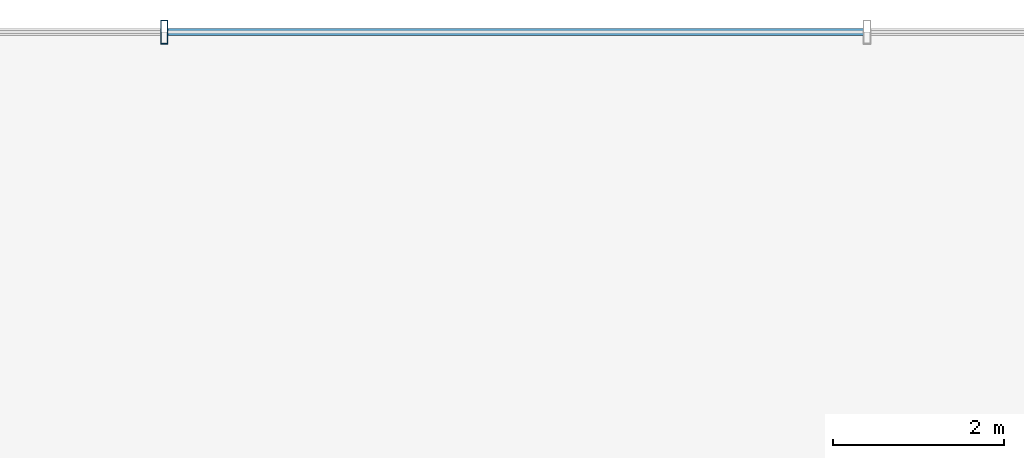
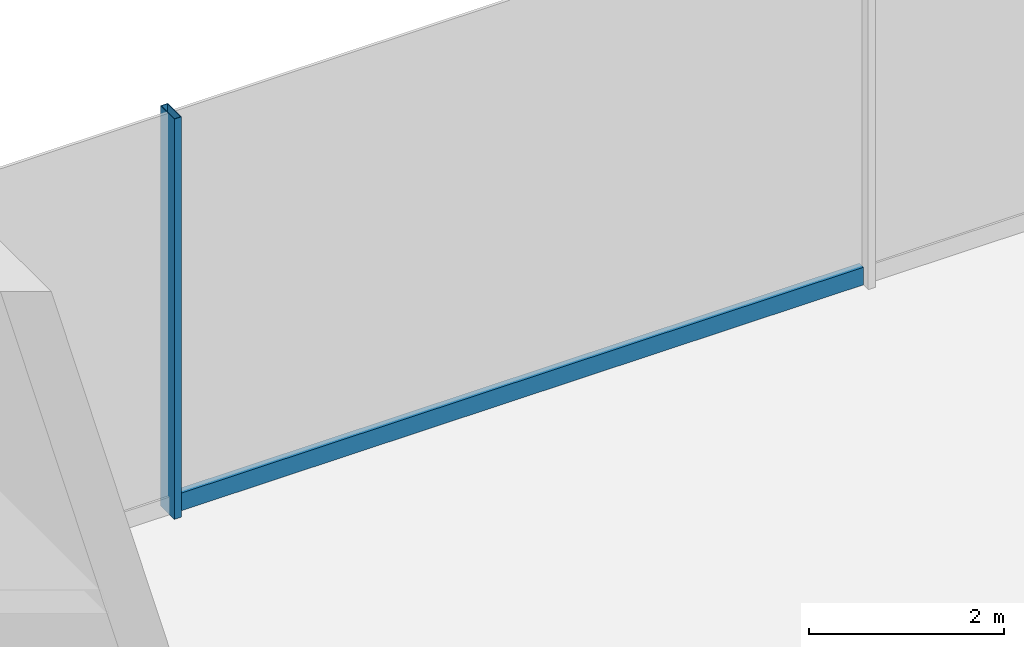
# One storey, part 18 of 39: 2 members, 1 element without a shape of its own.
"""IFC4 building model written with IfcOpenShell, lengths in metres."""

import ifcopenshell
import ifcopenshell.guid

model = None  # the IFC model being written
_history = None  # IfcOwnerHistory: only IFC2X3 demands one
_inside = {}  # id of a spatial element -> (the spatial element, [elements in it])
_under = {}  # id of a project, library or spatial element -> (it, [spatial elements below it])
_declared = {}  # id of a project -> (the project, [libraries it declares])
_typed = {}  # id of a type object -> (the type object, [elements of that type])
_made_of = {}  # id of a material, layer set ... -> (it, [elements and type objects made of it])


def new_model(schema):
    """Start an empty IFC model of exactly this schema.

    Asked for "IFC4X3", IfcOpenShell would pick the latest addendum, in which some entities
    have other attributes; the version numbers below select the first issue.
    IFC2X3 requires an IfcOwnerHistory on every rooted entity: one is made here for all.
    """
    global model, _history
    if schema == "IFC4X3":
        model = ifcopenshell.file(schema_version=(4, 3, 0, 0))
    else:
        model = ifcopenshell.file(schema=schema)
    _inside.clear()
    _under.clear()
    _declared.clear()
    _typed.clear()
    _made_of.clear()
    _history = None
    if model.schema == "IFC2X3":
        org = make("IfcOrganization", Name="unknown")
        user = make(
            "IfcPersonAndOrganization",
            ThePerson=make("IfcPerson", FamilyName="unknown"),
            TheOrganization=org,
        )
        app = make(
            "IfcApplication",
            ApplicationDeveloper=org,
            Version="unknown",
            ApplicationFullName="unknown",
            ApplicationIdentifier="unknown",
        )
        _history = make(
            "IfcOwnerHistory",
            OwningUser=user,
            OwningApplication=app,
            ChangeAction="ADDED",
            CreationDate=0,
        )
    return model


def make(cls, **values):
    """One entity of the class cls with the attributes given. An attribute that is None is left unset."""
    return model.create_entity(
        cls, **{name: value for name, value in values.items() if value is not None}
    )


def rooted(cls, **values):
    """An entity with a GlobalId (a new one), such as an element, a storey or a relation."""
    return make(cls, GlobalId=ifcopenshell.guid.new(), OwnerHistory=_history, **values)


def si_unit(unit_type, name, prefix=None):
    """IfcSIUnit, for example si_unit("LENGTHUNIT", "METRE", prefix="MILLI")."""
    return make("IfcSIUnit", UnitType=unit_type, Prefix=prefix, Name=name)


def derived_unit(unit_type, elements):
    """IfcDerivedUnit: a product of units, each with its exponent."""
    return make(
        "IfcDerivedUnit",
        Elements=[
            make("IfcDerivedUnitElement", Unit=unit, Exponent=power)
            for unit, power in elements
        ],
        UnitType=unit_type,
    )


def assignment(units):
    """IfcUnitAssignment: the units of a project."""
    return None if units is None else make("IfcUnitAssignment", Units=units)


def point(xyz):
    """IfcCartesianPoint."""
    return None if xyz is None else make("IfcCartesianPoint", Coordinates=xyz)


def direction(xyz):
    """IfcDirection."""
    return None if xyz is None else make("IfcDirection", DirectionRatios=xyz)


def frame(location, z_axis=None, x_axis=None):
    """IfcAxis2Placement3D, a coordinate frame: its origin and axes. An axis left out is left unset."""
    return make(
        "IfcAxis2Placement3D",
        Location=point(location),
        Axis=direction(z_axis),
        RefDirection=direction(x_axis),
    )


def frame_2d(location, x_axis=None):
    """IfcAxis2Placement2D, a coordinate frame in the plane: its origin and x axis."""
    return make(
        "IfcAxis2Placement2D", Location=point(location), RefDirection=direction(x_axis)
    )


def origin():
    """The frame at (0, 0, 0) with its axes left unset."""
    return frame((0.0, 0.0, 0.0))


def origin_2d():
    """The frame at (0, 0) in the plane with its x axis left unset."""
    return frame_2d((0.0, 0.0))


def place(relative_to, where):
    """IfcLocalPlacement: puts the frame where relative to a parent placement (None: the world)."""
    return make(
        "IfcLocalPlacement", PlacementRelTo=relative_to, RelativePlacement=where
    )


def context(
    kind, dimensions, precision=None, world=None, true_north=None, identifier=None
):
    """IfcGeometricRepresentationContext, for example the 3D "Model" context."""
    return make(
        "IfcGeometricRepresentationContext",
        ContextIdentifier=identifier,
        ContextType=kind,
        CoordinateSpaceDimension=dimensions,
        Precision=precision,
        WorldCoordinateSystem=world,
        TrueNorth=true_north,
    )


def subcontext(parent, identifier, kind, view, scale=None):
    """IfcGeometricRepresentationSubContext, for example "Body" below "Model"."""
    return make(
        "IfcGeometricRepresentationSubContext",
        ContextIdentifier=identifier,
        ContextType=kind,
        ParentContext=parent,
        TargetScale=scale,
        TargetView=view,
    )


def project(units=None, contexts=None):
    """IfcProject with its units and contexts."""
    return rooted(
        "IfcProject",
        Name="project",
        RepresentationContexts=contexts,
        UnitsInContext=assignment(units),
    )


def spatial(cls, under=None, at=None, **own):
    """A site, building, storey or space (cls), placed at a placement, below another one or the project."""
    s = rooted(cls, ObjectPlacement=at, **own)
    if under is not None:
        _under.setdefault(under.id(), (under, []))[1].append(s)
    return s


def profile(cls, at=None, kind="AREA", **sizes):
    """A parametric profile (cls). Its sizes go by their IFC names, for example OverallWidth=200.0."""
    return make(cls, ProfileType=kind, Position=at, **sizes)


def hollow_rectangle(**sizes):
    """IfcRectangleHollowProfileDef."""
    return profile("IfcRectangleHollowProfileDef", **sizes)


def extrude(swept, where, along, depth):
    """IfcExtrudedAreaSolid: the profile swept, set in the frame where, extruded along a direction by depth."""
    return make(
        "IfcExtrudedAreaSolid",
        SweptArea=swept,
        Position=where,
        ExtrudedDirection=direction(along),
        Depth=depth,
    )


def shape(context_of_items, identifier, shape_type, items):
    """IfcShapeRepresentation: the items that make up one representation, for example the "Body"."""
    return make(
        "IfcShapeRepresentation",
        ContextOfItems=context_of_items,
        RepresentationIdentifier=identifier,
        RepresentationType=shape_type,
        Items=items,
    )


def source(mapping_origin, context_of_items, identifier, shape_type, items):
    """IfcRepresentationMap: a shape defined once, which mapped items show again and again."""
    return make(
        "IfcRepresentationMap",
        MappingOrigin=mapping_origin,
        MappedRepresentation=shape(context_of_items, identifier, shape_type, items),
    )


def transform(
    local_origin,
    x_axis=None,
    y_axis=None,
    z_axis=None,
    scale=None,
    scale2=None,
    scale3=None,
    uniform=True,
):
    """IfcCartesianTransformationOperator3D, or its non-uniform kind. x_axis, y_axis, z_axis: its Axis1, 2, 3."""
    if uniform:
        return make(
            "IfcCartesianTransformationOperator3D",
            Axis1=direction(x_axis),
            Axis2=direction(y_axis),
            LocalOrigin=point(local_origin),
            Scale=scale,
            Axis3=direction(z_axis),
        )
    return make(
        "IfcCartesianTransformationOperator3DnonUniform",
        Axis1=direction(x_axis),
        Axis2=direction(y_axis),
        LocalOrigin=point(local_origin),
        Scale=scale,
        Axis3=direction(z_axis),
        Scale2=scale2,
        Scale3=scale3,
    )


def mapped(mapping_source, mapping_target):
    """IfcMappedItem: shows the shape of a source again, moved by a transform."""
    return make(
        "IfcMappedItem", MappingSource=mapping_source, MappingTarget=mapping_target
    )


def material(Name=None, Category=None):
    """IfcMaterial."""
    return make("IfcMaterial", Name=Name, Category=Category)


def material_profile(
    of_material, cross_section, Name=None, Category=None, Priority=None
):
    """IfcMaterialProfile: a cross section and its material."""
    return make(
        "IfcMaterialProfile",
        Name=Name,
        Material=of_material,
        Profile=cross_section,
        Priority=Priority,
        Category=Category,
    )


def profile_set(profiles, Name=None, composite=None):
    """IfcMaterialProfileSet."""
    return make(
        "IfcMaterialProfileSet",
        Name=Name,
        MaterialProfiles=profiles,
        CompositeProfile=composite,
    )


def made_of(thing, what):
    """Note that an element or type object is made of a material, layer set ...; save() writes the relation."""
    if what is not None:
        _made_of.setdefault(what.id(), (what, []))[1].append(thing)
    return thing


def type_object(cls, material=None, **own):
    """A type object (cls), such as IfcWallType, which elements share."""
    return made_of(rooted(cls, **own), material)


def element(
    cls,
    number,
    at=None,
    inside=None,
    cuts=None,
    type_object=None,
    material=None,
    context=None,
    identifier="Body",
    shape_type=None,
    held_by="IfcProductDefinitionShape",
    body=None,
    shapes=None,
    **own,
):
    """One element of the class cls, such as IfcWall. Its Tag is "e" and its number.

    at: its placement. inside: the storey or other place that contains it. cuts: it is an
    opening in that element (IfcRelVoidsElement). A single representation is given by context,
    identifier, shape_type and body (its items); several are given by shapes. held_by: the class
    of the entity that holds the representations. save() writes the other relations.
    """
    e = rooted(cls, Tag="e%d" % number, ObjectPlacement=at, **own)
    if body is not None:
        shapes = [shape(context, identifier, shape_type, body)]
    if shapes is not None:
        e.Representation = make(held_by, Representations=shapes)
    if inside is not None:
        _inside.setdefault(inside.id(), (inside, []))[1].append(e)
    if cuts is not None:
        rooted(
            "IfcRelVoidsElement", RelatingBuildingElement=cuts, RelatedOpeningElement=e
        )
    if type_object is not None:
        _typed.setdefault(type_object.id(), (type_object, []))[1].append(e)
    return made_of(e, material)


def aggregate(whole, parts):
    """IfcRelAggregates: a whole, such as a stair, and the parts it consists of."""
    return rooted("IfcRelAggregates", RelatingObject=whole, RelatedObjects=parts)


def save(model, path):
    """Write the relations noted so far, then the file.

    IfcRelAggregates (storeys below a building ...), IfcRelContainedInSpatialStructure (elements
    in a storey), IfcRelDefinesByType, IfcRelAssociatesMaterial and IfcRelDeclares: one each for
    every whole, place, type object, material and project.
    """
    for whole, parts in _under.values():
        aggregate(whole, parts)
    for where, things in _inside.values():
        rooted(
            "IfcRelContainedInSpatialStructure",
            RelatedElements=things,
            RelatingStructure=where,
        )
    for kind, things in _typed.values():
        rooted("IfcRelDefinesByType", RelatedObjects=things, RelatingType=kind)
    for what, things in _made_of.values():
        rooted("IfcRelAssociatesMaterial", RelatedObjects=things, RelatingMaterial=what)
    for by, libraries in _declared.values():
        rooted("IfcRelDeclares", RelatingContext=by, RelatedDefinitions=libraries)
    model.write(path)


model = new_model("IFC4")

# Units and contexts
model_context = context("Model", 3, precision=1e-05, world=origin(), true_north=direction((0.0, 1.0)))
body_context = subcontext(model_context, "Body", "Model", "MODEL_VIEW")
ifc_project = project(units=[si_unit("LENGTHUNIT", "METRE"), si_unit("AREAUNIT", "SQUARE_METRE"), si_unit("VOLUMEUNIT", "CUBIC_METRE"), si_unit("PLANEANGLEUNIT", "RADIAN"), si_unit("MASSUNIT", "GRAM", prefix="KILO"), derived_unit("THERMALTRANSMITTANCEUNIT", [(si_unit("POWERUNIT", "WATT"), 1), (si_unit("LENGTHUNIT", "METRE"), -2), (si_unit("THERMODYNAMICTEMPERATUREUNIT", "KELVIN"), -1)])], contexts=[model_context])

# Site, building, storey
site_placement = place(None, origin())
site = spatial("IfcSite", under=ifc_project, at=site_placement, CompositionType="ELEMENT")
building_placement = place(site_placement, origin())
building = spatial("IfcBuilding", under=site, at=building_placement, Name="Skarnbrae Concourse Arena and Tower", CompositionType="ELEMENT")
storey_placement = place(building_placement, frame((0.0, 0.0, 11.0)))
storey = spatial("IfcBuildingStorey", under=building, at=storey_placement, Name="L02", CompositionType="ELEMENT", Elevation=11.0)

# Curtain wall, members
ifc_material = material(Name="Bronze anodised aluminium 6063-T6", Category="aluminium")
curtain_wall_type = type_object("IfcCurtainWallType", Name="CW-SYS-01-PODIUM", PredefinedType="USERDEFINED", material=ifc_material)
curtain_wall_placement = place(storey_placement, origin())
curtain_wall = element("IfcCurtainWall", 1, at=curtain_wall_placement, inside=storey, type_object=curtain_wall_type, Name="L02 Unitised curtain wall CW-L02-N", ObjectType="UNITISED CURTAIN WALL", PredefinedType="USERDEFINED")
ifc_material_profile_1 = material_profile(ifc_material, hollow_rectangle(XDim=0.0849609375, YDim=0.280029296875, WallThickness=0.006103515625, at=origin_2d()), Name="ALU-MULL-85X280")
ifc_profile_set_1 = profile_set([ifc_material_profile_1], Name="Bronze anodised aluminium 6063-T6")
member_type_1 = type_object("IfcMemberType", Name="CWM-CW-01", PredefinedType="MULLION", material=ifc_profile_set_1)
shared_shape_1 = source(origin(), body_context, "Body", "SweptSolid", [
    extrude(hollow_rectangle(XDim=0.0849609375, YDim=0.280029296875, WallThickness=0.006103515625, at=origin_2d()), origin(), (0.0, 0.0, 1.0), 5.0),
])
member_1_placement = place(storey_placement, frame((57.39990234375, 56.0, 0.0), z_axis=(0.0, 0.0, 1.0), x_axis=(-1.0, 0.0, 0.0)))
member_1 = element("IfcMember", 2, at=member_1_placement, type_object=member_type_1, Name="CW-L02-N Mullion 4", PredefinedType="MULLION", context=body_context, shape_type="MappedRepresentation", body=[
    mapped(shared_shape_1, transform((0.0, 0.0, 0.0))),
])
ifc_material_profile_2 = material_profile(ifc_material, hollow_rectangle(XDim=0.0849609375, YDim=0.219970703125, WallThickness=0.006103515625, at=origin_2d()), Name="ALU-TRAN-85X220")
ifc_profile_set_2 = profile_set([ifc_material_profile_2], Name="Bronze anodised aluminium 6063-T6")
member_type_2 = type_object("IfcMemberType", Name="CWT-CW-01", PredefinedType="USERDEFINED", material=ifc_profile_set_2)
shared_shape_2 = source(origin(), body_context, "Body", "SweptSolid", [
    extrude(hollow_rectangle(XDim=0.0849609375, YDim=0.219970703125, WallThickness=0.006103515625, at=origin_2d()), origin(), (0.0, 0.0, 1.0), 8.115234375),
])
member_2_placement = place(storey_placement, frame((65.5576171875, 56.0, 0.110107421875), z_axis=(-1.0, 0.0, 0.0), x_axis=(0.0, -1.0, 0.0)))
member_2 = element("IfcMember", 3, at=member_2_placement, type_object=member_type_2, Name="CW-L02-N Transom 3", ObjectType="TRANSOM", PredefinedType="USERDEFINED", context=body_context, shape_type="MappedRepresentation", body=[
    mapped(shared_shape_2, transform((0.0, 0.0, 0.0))),
])
aggregate(curtain_wall, [member_1, member_2])

save(model, "model.ifc")
